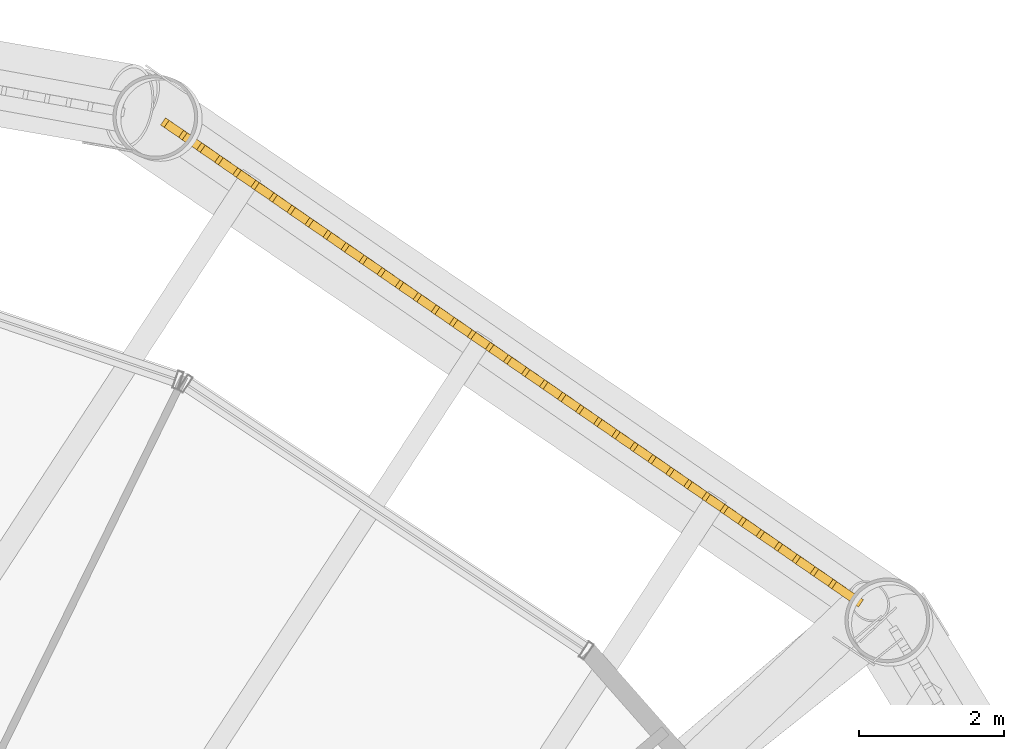
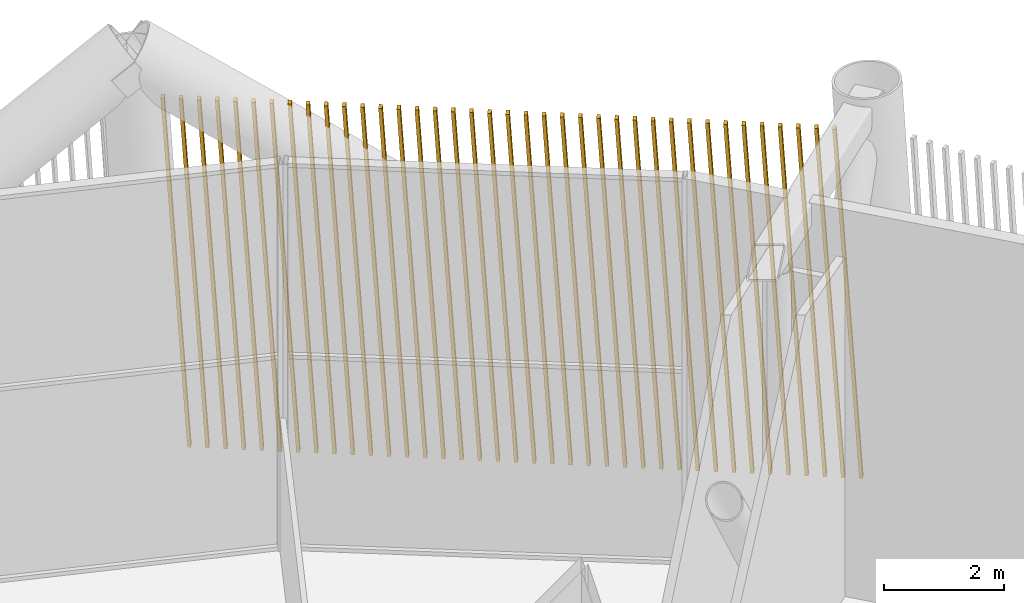
# One storey, part 61 of 63: 1 shading device.
"""IFC4 building model written with IfcOpenShell, lengths in metres."""

import ifcopenshell
import ifcopenshell.guid

model = None  # the IFC model being written
_history = None  # IfcOwnerHistory: only IFC2X3 demands one
_inside = {}  # id of a spatial element -> (the spatial element, [elements in it])
_under = {}  # id of a project, library or spatial element -> (it, [spatial elements below it])
_declared = {}  # id of a project -> (the project, [libraries it declares])
_typed = {}  # id of a type object -> (the type object, [elements of that type])
_made_of = {}  # id of a material, layer set ... -> (it, [elements and type objects made of it])


def new_model(schema):
    """Start an empty IFC model of exactly this schema.

    Asked for "IFC4X3", IfcOpenShell would pick the latest addendum, in which some entities
    have other attributes; the version numbers below select the first issue.
    IFC2X3 requires an IfcOwnerHistory on every rooted entity: one is made here for all.
    """
    global model, _history
    if schema == "IFC4X3":
        model = ifcopenshell.file(schema_version=(4, 3, 0, 0))
    else:
        model = ifcopenshell.file(schema=schema)
    _inside.clear()
    _under.clear()
    _declared.clear()
    _typed.clear()
    _made_of.clear()
    _history = None
    if model.schema == "IFC2X3":
        org = make("IfcOrganization", Name="unknown")
        user = make(
            "IfcPersonAndOrganization",
            ThePerson=make("IfcPerson", FamilyName="unknown"),
            TheOrganization=org,
        )
        app = make(
            "IfcApplication",
            ApplicationDeveloper=org,
            Version="unknown",
            ApplicationFullName="unknown",
            ApplicationIdentifier="unknown",
        )
        _history = make(
            "IfcOwnerHistory",
            OwningUser=user,
            OwningApplication=app,
            ChangeAction="ADDED",
            CreationDate=0,
        )
    return model


def make(cls, **values):
    """One entity of the class cls with the attributes given. An attribute that is None is left unset."""
    return model.create_entity(
        cls, **{name: value for name, value in values.items() if value is not None}
    )


def rooted(cls, **values):
    """An entity with a GlobalId (a new one), such as an element, a storey or a relation."""
    return make(cls, GlobalId=ifcopenshell.guid.new(), OwnerHistory=_history, **values)


def si_unit(unit_type, name, prefix=None):
    """IfcSIUnit, for example si_unit("LENGTHUNIT", "METRE", prefix="MILLI")."""
    return make("IfcSIUnit", UnitType=unit_type, Prefix=prefix, Name=name)


def assignment(units):
    """IfcUnitAssignment: the units of a project."""
    return None if units is None else make("IfcUnitAssignment", Units=units)


def point(xyz):
    """IfcCartesianPoint."""
    return None if xyz is None else make("IfcCartesianPoint", Coordinates=xyz)


def direction(xyz):
    """IfcDirection."""
    return None if xyz is None else make("IfcDirection", DirectionRatios=xyz)


def frame(location, z_axis=None, x_axis=None):
    """IfcAxis2Placement3D, a coordinate frame: its origin and axes. An axis left out is left unset."""
    return make(
        "IfcAxis2Placement3D",
        Location=point(location),
        Axis=direction(z_axis),
        RefDirection=direction(x_axis),
    )


def frame_2d(location, x_axis=None):
    """IfcAxis2Placement2D, a coordinate frame in the plane: its origin and x axis."""
    return make(
        "IfcAxis2Placement2D", Location=point(location), RefDirection=direction(x_axis)
    )


def origin():
    """The frame at (0, 0, 0) with its axes left unset."""
    return frame((0.0, 0.0, 0.0))


def place(relative_to, where):
    """IfcLocalPlacement: puts the frame where relative to a parent placement (None: the world)."""
    return make(
        "IfcLocalPlacement", PlacementRelTo=relative_to, RelativePlacement=where
    )


def context(
    kind, dimensions, precision=None, world=None, true_north=None, identifier=None
):
    """IfcGeometricRepresentationContext, for example the 3D "Model" context."""
    return make(
        "IfcGeometricRepresentationContext",
        ContextIdentifier=identifier,
        ContextType=kind,
        CoordinateSpaceDimension=dimensions,
        Precision=precision,
        WorldCoordinateSystem=world,
        TrueNorth=true_north,
    )


def subcontext(parent, identifier, kind, view, scale=None):
    """IfcGeometricRepresentationSubContext, for example "Body" below "Model"."""
    return make(
        "IfcGeometricRepresentationSubContext",
        ContextIdentifier=identifier,
        ContextType=kind,
        ParentContext=parent,
        TargetScale=scale,
        TargetView=view,
    )


def project(units=None, contexts=None):
    """IfcProject with its units and contexts."""
    return rooted(
        "IfcProject",
        Name="project",
        RepresentationContexts=contexts,
        UnitsInContext=assignment(units),
    )


def spatial(cls, under=None, at=None, **own):
    """A site, building, storey or space (cls), placed at a placement, below another one or the project."""
    s = rooted(cls, ObjectPlacement=at, **own)
    if under is not None:
        _under.setdefault(under.id(), (under, []))[1].append(s)
    return s


def profile(cls, at=None, kind="AREA", **sizes):
    """A parametric profile (cls). Its sizes go by their IFC names, for example OverallWidth=200.0."""
    return make(cls, ProfileType=kind, Position=at, **sizes)


def rectangle(**sizes):
    """IfcRectangleProfileDef."""
    return profile("IfcRectangleProfileDef", **sizes)


def composite_profile(profiles, kind="AREA"):
    """IfcCompositeProfileDef: several profiles as one."""
    return make("IfcCompositeProfileDef", ProfileType=kind, Profiles=profiles)


def extrude(swept, where, along, depth):
    """IfcExtrudedAreaSolid: the profile swept, set in the frame where, extruded along a direction by depth."""
    return make(
        "IfcExtrudedAreaSolid",
        SweptArea=swept,
        Position=where,
        ExtrudedDirection=direction(along),
        Depth=depth,
    )


def shape(context_of_items, identifier, shape_type, items):
    """IfcShapeRepresentation: the items that make up one representation, for example the "Body"."""
    return make(
        "IfcShapeRepresentation",
        ContextOfItems=context_of_items,
        RepresentationIdentifier=identifier,
        RepresentationType=shape_type,
        Items=items,
    )


def material(Name=None, Category=None):
    """IfcMaterial."""
    return make("IfcMaterial", Name=Name, Category=Category)


def made_of(thing, what):
    """Note that an element or type object is made of a material, layer set ...; save() writes the relation."""
    if what is not None:
        _made_of.setdefault(what.id(), (what, []))[1].append(thing)
    return thing


def type_object(cls, material=None, **own):
    """A type object (cls), such as IfcWallType, which elements share."""
    return made_of(rooted(cls, **own), material)


def element(
    cls,
    number,
    at=None,
    inside=None,
    cuts=None,
    type_object=None,
    material=None,
    context=None,
    identifier="Body",
    shape_type=None,
    held_by="IfcProductDefinitionShape",
    body=None,
    shapes=None,
    **own,
):
    """One element of the class cls, such as IfcWall. Its Tag is "e" and its number.

    at: its placement. inside: the storey or other place that contains it. cuts: it is an
    opening in that element (IfcRelVoidsElement). A single representation is given by context,
    identifier, shape_type and body (its items); several are given by shapes. held_by: the class
    of the entity that holds the representations. save() writes the other relations.
    """
    e = rooted(cls, Tag="e%d" % number, ObjectPlacement=at, **own)
    if body is not None:
        shapes = [shape(context, identifier, shape_type, body)]
    if shapes is not None:
        e.Representation = make(held_by, Representations=shapes)
    if inside is not None:
        _inside.setdefault(inside.id(), (inside, []))[1].append(e)
    if cuts is not None:
        rooted(
            "IfcRelVoidsElement", RelatingBuildingElement=cuts, RelatedOpeningElement=e
        )
    if type_object is not None:
        _typed.setdefault(type_object.id(), (type_object, []))[1].append(e)
    return made_of(e, material)


def aggregate(whole, parts):
    """IfcRelAggregates: a whole, such as a stair, and the parts it consists of."""
    return rooted("IfcRelAggregates", RelatingObject=whole, RelatedObjects=parts)


def save(model, path):
    """Write the relations noted so far, then the file.

    IfcRelAggregates (storeys below a building ...), IfcRelContainedInSpatialStructure (elements
    in a storey), IfcRelDefinesByType, IfcRelAssociatesMaterial and IfcRelDeclares: one each for
    every whole, place, type object, material and project.
    """
    for whole, parts in _under.values():
        aggregate(whole, parts)
    for where, things in _inside.values():
        rooted(
            "IfcRelContainedInSpatialStructure",
            RelatedElements=things,
            RelatingStructure=where,
        )
    for kind, things in _typed.values():
        rooted("IfcRelDefinesByType", RelatedObjects=things, RelatingType=kind)
    for what, things in _made_of.values():
        rooted("IfcRelAssociatesMaterial", RelatedObjects=things, RelatingMaterial=what)
    for by, libraries in _declared.values():
        rooted("IfcRelDeclares", RelatingContext=by, RelatedDefinitions=libraries)
    model.write(path)


model = new_model("IFC4")

# Units and contexts
model_context = context("Model", 3, precision=1e-05, world=origin(), true_north=direction((0.0, 1.0)))
body_context = subcontext(model_context, "Body", "Model", "MODEL_VIEW")
ifc_project = project(units=[si_unit("LENGTHUNIT", "METRE"), si_unit("AREAUNIT", "SQUARE_METRE"), si_unit("VOLUMEUNIT", "CUBIC_METRE"), si_unit("PLANEANGLEUNIT", "RADIAN"), si_unit("MASSUNIT", "GRAM", prefix="KILO")], contexts=[model_context])

# Site, building, storey
site_placement = place(None, origin())
site = spatial("IfcSite", under=ifc_project, at=site_placement, CompositionType="ELEMENT")
building_placement = place(site_placement, origin())
building = spatial("IfcBuilding", under=site, at=building_placement, Name="Tarsis Ring Headquarters", CompositionType="ELEMENT")
storey_placement = place(building_placement, frame((0.0, 0.0, 139.60009765625)))
storey = spatial("IfcBuildingStorey", under=building, at=storey_placement, Name="L32", CompositionType="ELEMENT", Elevation=139.60009765625)

# Shading device
ifc_material = material(Name="Terracotta baguette", Category="masonry")
shading_device_type = type_object("IfcShadingDeviceType", Name="Terracotta baguette screen", PredefinedType="USERDEFINED", material=ifc_material)
shading_device_placement = place(storey_placement, frame((20.770263671875, 20.162841796875, 0.0), z_axis=(0.0, 0.0, 1.0), x_axis=(-0.822680412371, 0.568507867607, 0.0)))
element("IfcShadingDevice", 1, at=shading_device_placement, inside=storey, type_object=shading_device_type, Name="Baguette screen L32-12", ObjectType="Terracotta baguette screen", PredefinedType="USERDEFINED", context=body_context, shape_type="SweptSolid", body=[
    extrude(composite_profile([rectangle(XDim=0.06005859375, YDim=0.1201171875, at=frame_2d((0.030029296875, 0.0))), rectangle(XDim=0.06005859375, YDim=0.1201171875, at=frame_2d((0.33251953125, 0.0))), rectangle(XDim=0.06005859375, YDim=0.1201171875, at=frame_2d((0.634765625, 0.0))), rectangle(XDim=0.06005859375, YDim=0.1201171875, at=frame_2d((0.937255859375, 0.0))), rectangle(XDim=0.06005859375, YDim=0.1201171875, at=frame_2d((1.239501953125, 0.0))), rectangle(XDim=0.06005859375, YDim=0.1201171875, at=frame_2d((1.5419921875, 0.0))), rectangle(XDim=0.06005859375, YDim=0.1201171875, at=frame_2d((1.844482421875, 0.0))), rectangle(XDim=0.06005859375, YDim=0.1201171875, at=frame_2d((2.146728515625, 0.0))), rectangle(XDim=0.06005859375, YDim=0.1201171875, at=frame_2d((2.44921875, 0.0))), rectangle(XDim=0.06005859375, YDim=0.1201171875, at=frame_2d((2.751708984375, 0.0))), rectangle(XDim=0.06005859375, YDim=0.1201171875, at=frame_2d((3.053955078125, 0.0))), rectangle(XDim=0.06005859375, YDim=0.1201171875, at=frame_2d((3.3564453125, 0.0))), rectangle(XDim=0.06005859375, YDim=0.1201171875, at=frame_2d((3.65869140625, 0.0))), rectangle(XDim=0.06005859375, YDim=0.1201171875, at=frame_2d((3.961181640625, 0.0))), rectangle(XDim=0.06005859375, YDim=0.1201171875, at=frame_2d((4.263671875, 0.0))), rectangle(XDim=0.06005859375, YDim=0.1201171875, at=frame_2d((4.56591796875, 0.0))), rectangle(XDim=0.06005859375, YDim=0.1201171875, at=frame_2d((4.868408203125, 0.0))), rectangle(XDim=0.06005859375, YDim=0.1201171875, at=frame_2d((5.1708984375, 0.0))), rectangle(XDim=0.06005859375, YDim=0.1201171875, at=frame_2d((5.47314453125, 0.0))), rectangle(XDim=0.06005859375, YDim=0.1201171875, at=frame_2d((5.775634765625, 0.0))), rectangle(XDim=0.06005859375, YDim=0.1201171875, at=frame_2d((6.077880859375, 0.0))), rectangle(XDim=0.06005859375, YDim=0.1201171875, at=frame_2d((6.38037109375, 0.0))), rectangle(XDim=0.06005859375, YDim=0.1201171875, at=frame_2d((6.682861328125, 0.0))), rectangle(XDim=0.06005859375, YDim=0.1201171875, at=frame_2d((6.985107421875, 0.0))), rectangle(XDim=0.06005859375, YDim=0.1201171875, at=frame_2d((7.28759765625, 0.0))), rectangle(XDim=0.06005859375, YDim=0.1201171875, at=frame_2d((7.590087890625, 0.0))), rectangle(XDim=0.06005859375, YDim=0.1201171875, at=frame_2d((7.892333984375, 0.0))), rectangle(XDim=0.06005859375, YDim=0.1201171875, at=frame_2d((8.19482421875, 0.0))), rectangle(XDim=0.06005859375, YDim=0.1201171875, at=frame_2d((8.4970703125, 0.0))), rectangle(XDim=0.06005859375, YDim=0.1201171875, at=frame_2d((8.799560546875, 0.0))), rectangle(XDim=0.06005859375, YDim=0.1201171875, at=frame_2d((9.10205078125, 0.0))), rectangle(XDim=0.06005859375, YDim=0.1201171875, at=frame_2d((9.404296875, 0.0))), rectangle(XDim=0.06005859375, YDim=0.1201171875, at=frame_2d((9.706787109375, 0.0))), rectangle(XDim=0.06005859375, YDim=0.1201171875, at=frame_2d((10.00927734375, 0.0))), rectangle(XDim=0.06005859375, YDim=0.1201171875, at=frame_2d((10.3115234375, 0.0))), rectangle(XDim=0.06005859375, YDim=0.1201171875, at=frame_2d((10.614013671875, 0.0))), rectangle(XDim=0.06005859375, YDim=0.1201171875, at=frame_2d((10.916259765625, 0.0))), rectangle(XDim=0.06005859375, YDim=0.1201171875, at=frame_2d((11.21875, 0.0)))]), origin(), (0.06314046275, 0.000495866466, 0.998004527084), 7.06396484375),
])

save(model, "model.ifc")
